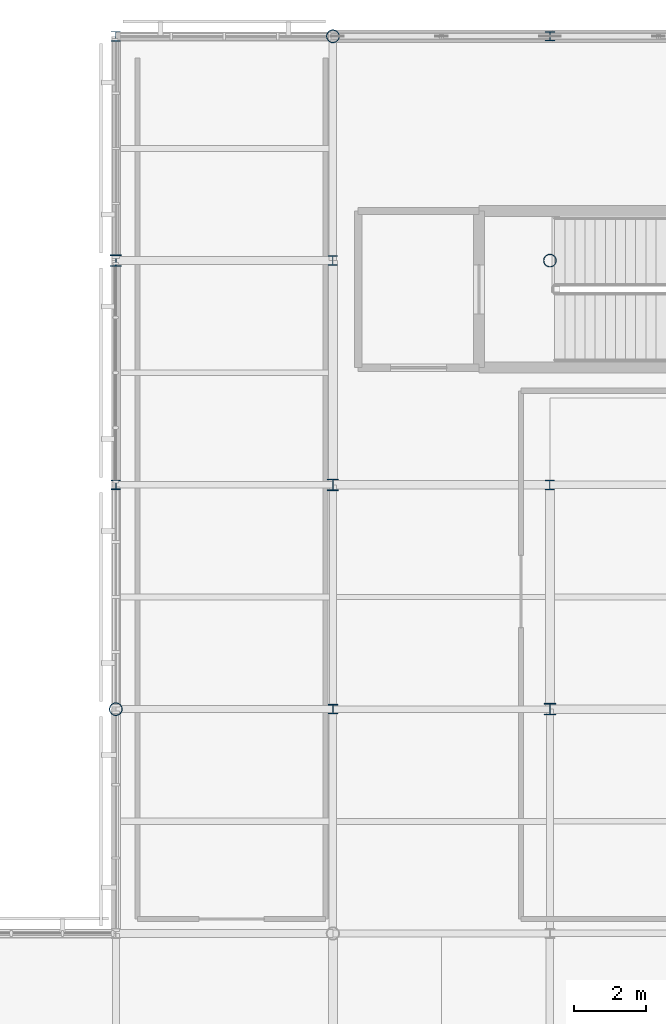
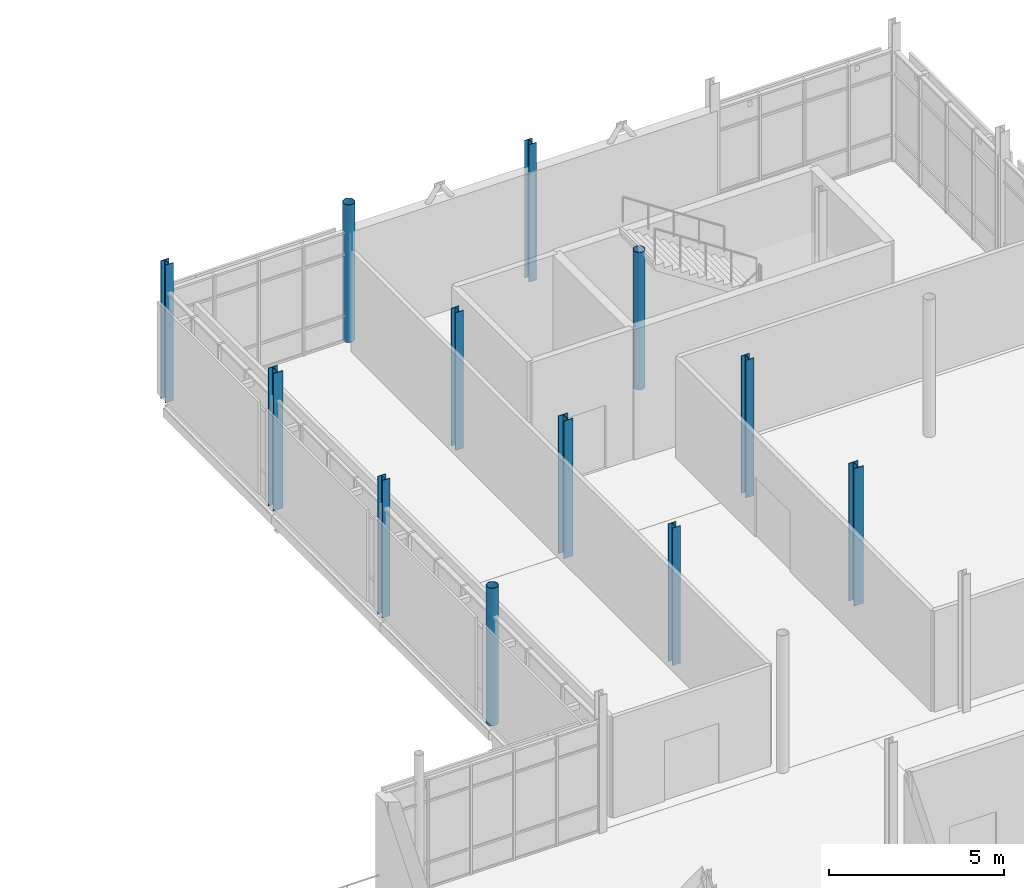
# One storey, part 10 of 84: 12 columns.
"""IFC4 building model written with IfcOpenShell, lengths in metres."""

import ifcopenshell
import ifcopenshell.guid

model = None  # the IFC model being written
_history = None  # IfcOwnerHistory: only IFC2X3 demands one
_inside = {}  # id of a spatial element -> (the spatial element, [elements in it])
_under = {}  # id of a project, library or spatial element -> (it, [spatial elements below it])
_declared = {}  # id of a project -> (the project, [libraries it declares])
_typed = {}  # id of a type object -> (the type object, [elements of that type])
_made_of = {}  # id of a material, layer set ... -> (it, [elements and type objects made of it])


def new_model(schema):
    """Start an empty IFC model of exactly this schema.

    Asked for "IFC4X3", IfcOpenShell would pick the latest addendum, in which some entities
    have other attributes; the version numbers below select the first issue.
    IFC2X3 requires an IfcOwnerHistory on every rooted entity: one is made here for all.
    """
    global model, _history
    if schema == "IFC4X3":
        model = ifcopenshell.file(schema_version=(4, 3, 0, 0))
    else:
        model = ifcopenshell.file(schema=schema)
    _inside.clear()
    _under.clear()
    _declared.clear()
    _typed.clear()
    _made_of.clear()
    _history = None
    if model.schema == "IFC2X3":
        org = make("IfcOrganization", Name="unknown")
        user = make(
            "IfcPersonAndOrganization",
            ThePerson=make("IfcPerson", FamilyName="unknown"),
            TheOrganization=org,
        )
        app = make(
            "IfcApplication",
            ApplicationDeveloper=org,
            Version="unknown",
            ApplicationFullName="unknown",
            ApplicationIdentifier="unknown",
        )
        _history = make(
            "IfcOwnerHistory",
            OwningUser=user,
            OwningApplication=app,
            ChangeAction="ADDED",
            CreationDate=0,
        )
    return model


def make(cls, **values):
    """One entity of the class cls with the attributes given. An attribute that is None is left unset."""
    return model.create_entity(
        cls, **{name: value for name, value in values.items() if value is not None}
    )


def rooted(cls, **values):
    """An entity with a GlobalId (a new one), such as an element, a storey or a relation."""
    return make(cls, GlobalId=ifcopenshell.guid.new(), OwnerHistory=_history, **values)


def si_unit(unit_type, name, prefix=None):
    """IfcSIUnit, for example si_unit("LENGTHUNIT", "METRE", prefix="MILLI")."""
    return make("IfcSIUnit", UnitType=unit_type, Prefix=prefix, Name=name)


def assignment(units):
    """IfcUnitAssignment: the units of a project."""
    return None if units is None else make("IfcUnitAssignment", Units=units)


def point(xyz):
    """IfcCartesianPoint."""
    return None if xyz is None else make("IfcCartesianPoint", Coordinates=xyz)


def direction(xyz):
    """IfcDirection."""
    return None if xyz is None else make("IfcDirection", DirectionRatios=xyz)


def frame(location, z_axis=None, x_axis=None):
    """IfcAxis2Placement3D, a coordinate frame: its origin and axes. An axis left out is left unset."""
    return make(
        "IfcAxis2Placement3D",
        Location=point(location),
        Axis=direction(z_axis),
        RefDirection=direction(x_axis),
    )


def frame_2d(location, x_axis=None):
    """IfcAxis2Placement2D, a coordinate frame in the plane: its origin and x axis."""
    return make(
        "IfcAxis2Placement2D", Location=point(location), RefDirection=direction(x_axis)
    )


def origin():
    """The frame at (0, 0, 0) with its axes left unset."""
    return frame((0.0, 0.0, 0.0))


def origin_2d():
    """The frame at (0, 0) in the plane with its x axis left unset."""
    return frame_2d((0.0, 0.0))


def place(relative_to, where):
    """IfcLocalPlacement: puts the frame where relative to a parent placement (None: the world)."""
    return make(
        "IfcLocalPlacement", PlacementRelTo=relative_to, RelativePlacement=where
    )


def context(
    kind, dimensions, precision=None, world=None, true_north=None, identifier=None
):
    """IfcGeometricRepresentationContext, for example the 3D "Model" context."""
    return make(
        "IfcGeometricRepresentationContext",
        ContextIdentifier=identifier,
        ContextType=kind,
        CoordinateSpaceDimension=dimensions,
        Precision=precision,
        WorldCoordinateSystem=world,
        TrueNorth=true_north,
    )


def subcontext(parent, identifier, kind, view, scale=None):
    """IfcGeometricRepresentationSubContext, for example "Body" below "Model"."""
    return make(
        "IfcGeometricRepresentationSubContext",
        ContextIdentifier=identifier,
        ContextType=kind,
        ParentContext=parent,
        TargetScale=scale,
        TargetView=view,
    )


def project(units=None, contexts=None):
    """IfcProject with its units and contexts."""
    return rooted(
        "IfcProject",
        Name="project",
        RepresentationContexts=contexts,
        UnitsInContext=assignment(units),
    )


def spatial(cls, under=None, at=None, **own):
    """A site, building, storey or space (cls), placed at a placement, below another one or the project."""
    s = rooted(cls, ObjectPlacement=at, **own)
    if under is not None:
        _under.setdefault(under.id(), (under, []))[1].append(s)
    return s


def profile(cls, at=None, kind="AREA", **sizes):
    """A parametric profile (cls). Its sizes go by their IFC names, for example OverallWidth=200.0."""
    return make(cls, ProfileType=kind, Position=at, **sizes)


def hollow_circle(**sizes):
    """IfcCircleHollowProfileDef."""
    return profile("IfcCircleHollowProfileDef", **sizes)


def i_section(**sizes):
    """IfcIShapeProfileDef."""
    return profile("IfcIShapeProfileDef", **sizes)


def extrude(swept, where, along, depth):
    """IfcExtrudedAreaSolid: the profile swept, set in the frame where, extruded along a direction by depth."""
    return make(
        "IfcExtrudedAreaSolid",
        SweptArea=swept,
        Position=where,
        ExtrudedDirection=direction(along),
        Depth=depth,
    )


def shape(context_of_items, identifier, shape_type, items):
    """IfcShapeRepresentation: the items that make up one representation, for example the "Body"."""
    return make(
        "IfcShapeRepresentation",
        ContextOfItems=context_of_items,
        RepresentationIdentifier=identifier,
        RepresentationType=shape_type,
        Items=items,
    )


def material(Name=None, Category=None):
    """IfcMaterial."""
    return make("IfcMaterial", Name=Name, Category=Category)


def material_profile(
    of_material, cross_section, Name=None, Category=None, Priority=None
):
    """IfcMaterialProfile: a cross section and its material."""
    return make(
        "IfcMaterialProfile",
        Name=Name,
        Material=of_material,
        Profile=cross_section,
        Priority=Priority,
        Category=Category,
    )


def profile_set(profiles, Name=None, composite=None):
    """IfcMaterialProfileSet."""
    return make(
        "IfcMaterialProfileSet",
        Name=Name,
        MaterialProfiles=profiles,
        CompositeProfile=composite,
    )


def made_of(thing, what):
    """Note that an element or type object is made of a material, layer set ...; save() writes the relation."""
    if what is not None:
        _made_of.setdefault(what.id(), (what, []))[1].append(thing)
    return thing


def type_object(cls, material=None, **own):
    """A type object (cls), such as IfcWallType, which elements share."""
    return made_of(rooted(cls, **own), material)


def element(
    cls,
    number,
    at=None,
    inside=None,
    cuts=None,
    type_object=None,
    material=None,
    context=None,
    identifier="Body",
    shape_type=None,
    held_by="IfcProductDefinitionShape",
    body=None,
    shapes=None,
    **own,
):
    """One element of the class cls, such as IfcWall. Its Tag is "e" and its number.

    at: its placement. inside: the storey or other place that contains it. cuts: it is an
    opening in that element (IfcRelVoidsElement). A single representation is given by context,
    identifier, shape_type and body (its items); several are given by shapes. held_by: the class
    of the entity that holds the representations. save() writes the other relations.
    """
    e = rooted(cls, Tag="e%d" % number, ObjectPlacement=at, **own)
    if body is not None:
        shapes = [shape(context, identifier, shape_type, body)]
    if shapes is not None:
        e.Representation = make(held_by, Representations=shapes)
    if inside is not None:
        _inside.setdefault(inside.id(), (inside, []))[1].append(e)
    if cuts is not None:
        rooted(
            "IfcRelVoidsElement", RelatingBuildingElement=cuts, RelatedOpeningElement=e
        )
    if type_object is not None:
        _typed.setdefault(type_object.id(), (type_object, []))[1].append(e)
    return made_of(e, material)


def aggregate(whole, parts):
    """IfcRelAggregates: a whole, such as a stair, and the parts it consists of."""
    return rooted("IfcRelAggregates", RelatingObject=whole, RelatedObjects=parts)


def save(model, path):
    """Write the relations noted so far, then the file.

    IfcRelAggregates (storeys below a building ...), IfcRelContainedInSpatialStructure (elements
    in a storey), IfcRelDefinesByType, IfcRelAssociatesMaterial and IfcRelDeclares: one each for
    every whole, place, type object, material and project.
    """
    for whole, parts in _under.values():
        aggregate(whole, parts)
    for where, things in _inside.values():
        rooted(
            "IfcRelContainedInSpatialStructure",
            RelatedElements=things,
            RelatingStructure=where,
        )
    for kind, things in _typed.values():
        rooted("IfcRelDefinesByType", RelatedObjects=things, RelatingType=kind)
    for what, things in _made_of.values():
        rooted("IfcRelAssociatesMaterial", RelatedObjects=things, RelatingMaterial=what)
    for by, libraries in _declared.values():
        rooted("IfcRelDeclares", RelatingContext=by, RelatedDefinitions=libraries)
    model.write(path)


model = new_model("IFC4")

# Units and contexts
model_context = context("Model", 3, precision=1e-05, world=origin(), true_north=direction((0.0, 1.0)))
body_context = subcontext(model_context, "Body", "Model", "MODEL_VIEW")
ifc_project = project(units=[si_unit("LENGTHUNIT", "METRE"), si_unit("AREAUNIT", "SQUARE_METRE"), si_unit("VOLUMEUNIT", "CUBIC_METRE"), si_unit("PLANEANGLEUNIT", "RADIAN"), si_unit("MASSUNIT", "GRAM", prefix="KILO")], contexts=[model_context])

# Site, building, storey
site_placement = place(None, origin())
site = spatial("IfcSite", under=ifc_project, at=site_placement, CompositionType="ELEMENT")
building_placement = place(site_placement, origin())
building = spatial("IfcBuilding", under=site, at=building_placement, Name="Mirzam Square Science Centre", CompositionType="ELEMENT")
storey_placement = place(building_placement, frame((0.0, 0.0, 10.800048828125)))
storey = spatial("IfcBuildingStorey", under=building, at=storey_placement, Name="L02", CompositionType="ELEMENT", Elevation=10.800048828125)

# Columns
ifc_material = material(Name="Steel S355", Category="steel")
ifc_material_profile_1 = material_profile(ifc_material, hollow_circle(Radius=0.177734375, WallThickness=0.012451171875, at=origin_2d()), Name="355.6x12.5CHS")
ifc_profile_set_1 = profile_set([ifc_material_profile_1], Name="Steel S355")
column_type_1 = type_object("IfcColumnType", Name="COL-CHS355", PredefinedType="COLUMN", material=ifc_profile_set_1)
for number, where, z_axis, x_axis, name in (
    (1, (114.0, 93.0, 0.0), (0.0, 0.0, 1.0), (1.0, 0.0, 0.0), "L02 column G20-16"),
    (2, (120.0, 111.60009765625, 0.0), (0.0, 0.0, 1.0), (1.0, 0.0, 0.0), "L02 column G21-19"),
    (3, (126.0, 105.39990234375, 0.0), (0.0, 0.0, 1.0), (1.0, 0.0, 0.0), "L02 column G22-18"),
):
    element("IfcColumn", number, at=place(storey_placement, frame(where, z_axis=z_axis, x_axis=x_axis)), inside=storey, type_object=column_type_1, Name=name, PredefinedType="COLUMN", context=body_context, shape_type="SweptSolid", body=[
        extrude(hollow_circle(Radius=0.177734375, WallThickness=0.012451171875, at=origin_2d()), origin(), (0.0, 0.0, 1.0), 4.800048828125),
    ])
ifc_material_profile_2 = material_profile(ifc_material, i_section(OverallWidth=0.25634765625, OverallDepth=0.26025390625, WebThickness=0.01025390625, FlangeThickness=0.017333984375, FilletRadius=0.0126953125, at=origin_2d()), Name="254x254x89UC")
ifc_profile_set_2 = profile_set([ifc_material_profile_2], Name="Steel S355")
column_type_2 = type_object("IfcColumnType", Name="COL-UC254A", PredefinedType="COLUMN", material=ifc_profile_set_2)
for number, where, z_axis, x_axis, name in (
    (4, (114.0, 99.199951171875, 0.0), (0.0, 0.0, 1.0), (1.0, 0.0, 0.0), "L02 column G20-17"),
    (5, (120.0, 93.0, 0.0), (0.0, 0.0, 1.0), (1.0, 0.0, 0.0), "L02 column G21-16"),
    (6, (126.0, 111.60009765625, 0.0), (0.0, 0.0, 1.0), (1.0, 0.0, 0.0), "L02 column G22-19"),
):
    element("IfcColumn", number, at=place(storey_placement, frame(where, z_axis=z_axis, x_axis=x_axis)), inside=storey, type_object=column_type_2, Name=name, PredefinedType="COLUMN", context=body_context, shape_type="SweptSolid", body=[
        extrude(i_section(OverallWidth=0.25634765625, OverallDepth=0.26025390625, WebThickness=0.01025390625, FlangeThickness=0.017333984375, FilletRadius=0.0126953125, at=origin_2d()), origin(), (0.0, 0.0, 1.0), 4.800048828125),
    ])
ifc_material_profile_3 = material_profile(ifc_material, i_section(OverallWidth=0.26123046875, OverallDepth=0.2763671875, WebThickness=0.015380859375, FlangeThickness=0.025390625, FilletRadius=0.0126953125, at=origin_2d()), Name="254x254x132UC")
ifc_profile_set_3 = profile_set([ifc_material_profile_3], Name="Steel S355")
column_type_3 = type_object("IfcColumnType", Name="COL-UC254B", PredefinedType="COLUMN", material=ifc_profile_set_3)
for number, where, z_axis, x_axis, name in (
    (7, (114.0, 111.60009765625, 0.0), (0.0, 0.0, 1.0), (1.0, 0.0, 0.0), "L02 column G20-19"),
    (8, (120.0, 105.39990234375, 0.0), (0.0, 0.0, 1.0), (1.0, 0.0, 0.0), "L02 column G21-18"),
    (9, (126.0, 99.199951171875, 0.0), (0.0, 0.0, 1.0), (1.0, 0.0, 0.0), "L02 column G22-17"),
):
    element("IfcColumn", number, at=place(storey_placement, frame(where, z_axis=z_axis, x_axis=x_axis)), inside=storey, type_object=column_type_3, Name=name, PredefinedType="COLUMN", context=body_context, shape_type="SweptSolid", body=[
        extrude(i_section(OverallWidth=0.26123046875, OverallDepth=0.2763671875, WebThickness=0.015380859375, FlangeThickness=0.025390625, FilletRadius=0.0126953125, at=origin_2d()), origin(), (0.0, 0.0, 1.0), 4.800048828125),
    ])
ifc_material_profile_4 = material_profile(ifc_material, i_section(OverallWidth=0.30908203125, OverallDepth=0.320556640625, WebThickness=0.013916015625, FlangeThickness=0.021728515625, FilletRadius=0.01513671875, at=origin_2d()), Name="305x305x137UC")
ifc_profile_set_4 = profile_set([ifc_material_profile_4], Name="Steel S355")
column_type_4 = type_object("IfcColumnType", Name="COL-UC305A", PredefinedType="COLUMN", material=ifc_profile_set_4)
for number, where, z_axis, x_axis, name in (
    (10, (114.0, 105.39990234375, 0.0), (0.0, 0.0, 1.0), (1.0, 0.0, 0.0), "L02 column G20-18"),
    (11, (120.0, 99.199951171875, 0.0), (0.0, 0.0, 1.0), (1.0, 0.0, 0.0), "L02 column G21-17"),
    (12, (126.0, 93.0, 0.0), (0.0, 0.0, 1.0), (1.0, 0.0, 0.0), "L02 column G22-16"),
):
    element("IfcColumn", number, at=place(storey_placement, frame(where, z_axis=z_axis, x_axis=x_axis)), inside=storey, type_object=column_type_4, Name=name, PredefinedType="COLUMN", context=body_context, shape_type="SweptSolid", body=[
        extrude(i_section(OverallWidth=0.30908203125, OverallDepth=0.320556640625, WebThickness=0.013916015625, FlangeThickness=0.021728515625, FilletRadius=0.01513671875, at=origin_2d()), origin(), (0.0, 0.0, 1.0), 4.800048828125),
    ])

save(model, "model.ifc")
